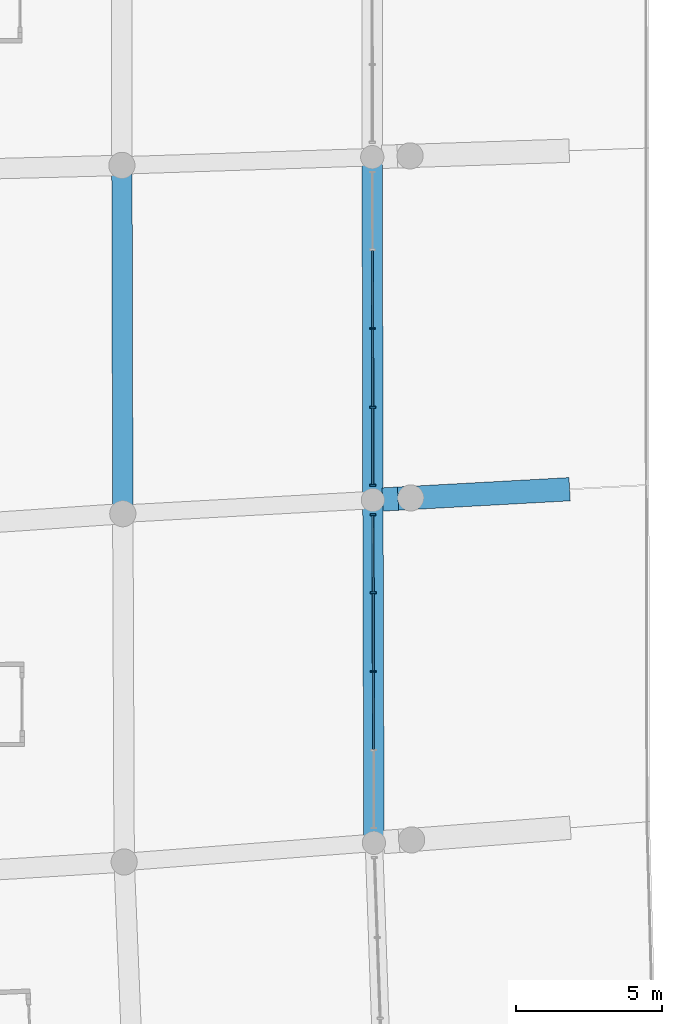
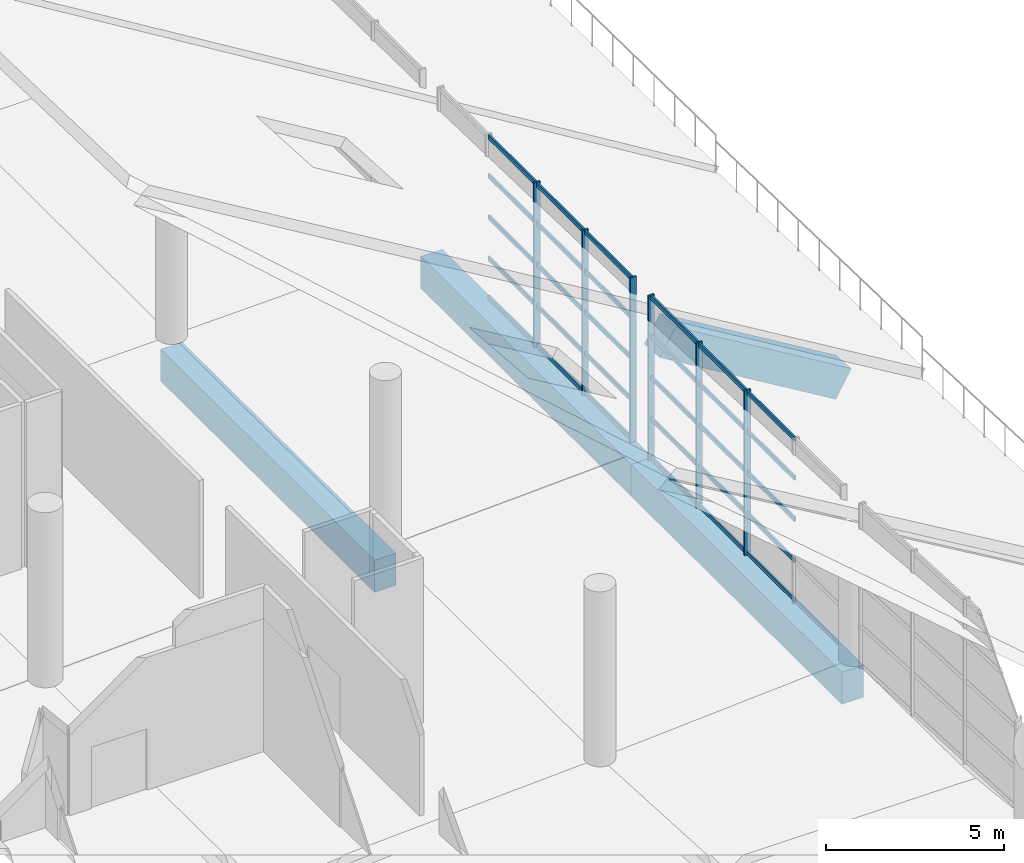
# One storey, part 23 of 249: 36 members, 4 beams, 2 elements without a shape of their own.
"""IFC4 building model written with IfcOpenShell, lengths in metres."""

from ifc_helpers import new_model, si_unit, direction, frame, origin, origin_2d, place, context, subcontext, project, spatial, rectangle, extrude, material, layer, layer_set, material_profile, profile_set, type_object, element, aggregate, save


model = new_model("IFC4")

# Units and contexts
model_context = context("Model", 3, precision=1e-05, world=origin(), true_north=direction((0.0, 1.0)))
body_context = subcontext(model_context, "Body", "Model", "MODEL_VIEW")
ifc_project = project(units=[si_unit("LENGTHUNIT", "METRE"), si_unit("AREAUNIT", "SQUARE_METRE"), si_unit("VOLUMEUNIT", "CUBIC_METRE"), si_unit("PLANEANGLEUNIT", "RADIAN"), si_unit("MASSUNIT", "GRAM", prefix="KILO")], contexts=[model_context])

# Site, building, storey
site_placement = place(None, origin())
site = spatial("IfcSite", under=ifc_project, at=site_placement, CompositionType="ELEMENT")
building_placement = place(site_placement, origin())
building = spatial("IfcBuilding", under=site, at=building_placement, Name="Meseta Stadium", CompositionType="ELEMENT")
storey_placement = place(building_placement, frame((0.0, 0.0, 12.0)))
storey = spatial("IfcBuildingStorey", under=building, at=storey_placement, Name="L02", CompositionType="ELEMENT", Elevation=12.0)

# Curtain wall, members
ifc_material_1 = material(Name="Aluminium", Category="aluminium")
ifc_layer = layer(ifc_material_1, 0.199951171875)
ifc_layer_set = layer_set([ifc_layer], Name="Suite glazing curtain wall")
curtain_wall_type = type_object("IfcCurtainWallType", Name="Suite glazing curtain wall", PredefinedType="NOTDEFINED", material=ifc_layer_set)
curtain_wall_1_placement = place(storey_placement, origin())
curtain_wall_1 = element("IfcCurtainWall", 1, at=curtain_wall_1_placement, inside=storey, type_object=curtain_wall_type, Name="Suite glazing bay 34", PredefinedType="NOTDEFINED")
ifc_material_2 = material(Name="Aluminium", Category="aluminium")
ifc_material_profile_1 = material_profile(ifc_material_2, rectangle(XDim=0.199951171875, YDim=0.06005859375, at=origin_2d()), Name="CW 200x60")
ifc_profile_set_1 = profile_set([ifc_material_profile_1], Name="Aluminium")
member_type_1 = type_object("IfcMemberType", Name="CW mullion 60x200", PredefinedType="MULLION", material=ifc_profile_set_1)
member_1_placement = place(storey_placement, frame((-64.875732421875, -23.546875, 0.0), z_axis=(0.0, 0.0, 1.0), x_axis=(0.999998105206, 0.001946685349, 0.0)))
member_1 = element("IfcMember", 2, at=member_1_placement, type_object=member_type_1, Name="CWS mullion 3", PredefinedType="MULLION", context=body_context, shape_type="SweptSolid", body=[
    extrude(rectangle(XDim=0.199951171875, YDim=0.06005859375, at=origin_2d()), origin(), (0.0, 0.0, 1.0), 5.64990234375),
])
member_2_placement = place(storey_placement, frame((-64.870361328125, -26.250244140625, 0.0), z_axis=(0.0, 0.0, 1.0), x_axis=(0.999998105206, 0.001946685349, 0.0)))
member_2 = element("IfcMember", 3, at=member_2_placement, type_object=member_type_1, Name="CWS mullion 4", PredefinedType="MULLION", context=body_context, shape_type="SweptSolid", body=[
    extrude(rectangle(XDim=0.199951171875, YDim=0.06005859375, at=origin_2d()), origin(), (0.0, 0.0, 1.0), 5.64990234375),
])
member_3_placement = place(storey_placement, frame((-64.865234375, -28.923828125, 0.0), z_axis=(0.0, 0.0, 1.0), x_axis=(0.999998105206, 0.001946685349, 0.0)))
member_3 = element("IfcMember", 4, at=member_3_placement, type_object=member_type_1, Name="CWS mullion 5", PredefinedType="MULLION", context=body_context, shape_type="SweptSolid", body=[
    extrude(rectangle(XDim=0.199951171875, YDim=0.06005859375, at=origin_2d()), origin(), (0.0, 0.0, 1.0), 5.64990234375),
])

curtain_wall_2_placement = place(storey_placement, origin())
curtain_wall_2 = element("IfcCurtainWall", 5, at=curtain_wall_2_placement, inside=storey, type_object=curtain_wall_type, Name="Suite glazing bay 35", PredefinedType="NOTDEFINED")
member_4_placement = place(storey_placement, frame((-64.86279296875, -29.94287109375, 0.0), z_axis=(0.0, 0.0, 1.0), x_axis=(0.999995765919, 0.002910007458, 0.0)))
member_4 = element("IfcMember", 6, at=member_4_placement, type_object=member_type_1, Name="CWS mullion 1", PredefinedType="MULLION", context=body_context, shape_type="SweptSolid", body=[
    extrude(rectangle(XDim=0.199951171875, YDim=0.06005859375, at=origin_2d()), origin(), (0.0, 0.0, 1.0), 5.64990234375),
])
member_5_placement = place(storey_placement, frame((-64.85498046875, -32.61572265625, 0.0), z_axis=(0.0, 0.0, 1.0), x_axis=(0.999995765919, 0.002910007458, 0.0)))
member_5 = element("IfcMember", 7, at=member_5_placement, type_object=member_type_1, Name="CWS mullion 2", PredefinedType="MULLION", context=body_context, shape_type="SweptSolid", body=[
    extrude(rectangle(XDim=0.199951171875, YDim=0.06005859375, at=origin_2d()), origin(), (0.0, 0.0, 1.0), 5.64990234375),
])
member_6_placement = place(storey_placement, frame((-64.846923828125, -35.318359375, 0.0), z_axis=(0.0, 0.0, 1.0), x_axis=(0.999995765919, 0.002910007458, 0.0)))
member_6 = element("IfcMember", 8, at=member_6_placement, type_object=member_type_1, Name="CWS mullion 3", PredefinedType="MULLION", context=body_context, shape_type="SweptSolid", body=[
    extrude(rectangle(XDim=0.199951171875, YDim=0.06005859375, at=origin_2d()), origin(), (0.0, 0.0, 1.0), 5.64990234375),
])

# Member
ifc_material_3 = material(Name="Aluminium", Category="aluminium")
ifc_material_profile_2 = material_profile(ifc_material_3, rectangle(XDim=0.06005859375, YDim=0.14990234375, at=origin_2d()), Name="CW 60x150")
ifc_profile_set_2 = profile_set([ifc_material_profile_2], Name="Aluminium")
member_type_2 = type_object("IfcMemberType", Name="CW transom 60x150", PredefinedType="USERDEFINED", material=ifc_profile_set_2)
member_7_placement = place(storey_placement, frame((-64.880859375, -20.873291015625, 0.074951171875), z_axis=(0.001939412681, -0.999998119337, 0.0), x_axis=(0.999998119337, 0.001939412681, 0.0)))
member_7 = element("IfcMember", 9, at=member_7_placement, type_object=member_type_2, Name="CWS transom 2.1", ObjectType="TRANSOM", PredefinedType="USERDEFINED", context=body_context, shape_type="SweptSolid", body=[
    extrude(rectangle(XDim=0.06005859375, YDim=0.14990234375, at=origin_2d()), origin(), (0.0, 0.0, 1.0), 2.6435546875),
])

member_8_placement = place(storey_placement, frame((-64.880859375, -20.873291015625, 1.41259765625), z_axis=(0.001939412681, -0.999998119337, 0.0), x_axis=(0.999998119337, 0.001939412681, 0.0)))
member_8 = element("IfcMember", 10, at=member_8_placement, type_object=member_type_2, Name="CWS transom 2.2", ObjectType="TRANSOM", PredefinedType="USERDEFINED", context=body_context, shape_type="SweptSolid", body=[
    extrude(rectangle(XDim=0.06005859375, YDim=0.14990234375, at=origin_2d()), origin(), (0.0, 0.0, 1.0), 2.6435546875),
])

member_9_placement = place(storey_placement, frame((-64.880859375, -20.873291015625, 2.824951171875), z_axis=(0.001939412681, -0.999998119337, 0.0), x_axis=(0.999998119337, 0.001939412681, 0.0)))
member_9 = element("IfcMember", 11, at=member_9_placement, type_object=member_type_2, Name="CWS transom 2.3", ObjectType="TRANSOM", PredefinedType="USERDEFINED", context=body_context, shape_type="SweptSolid", body=[
    extrude(rectangle(XDim=0.06005859375, YDim=0.14990234375, at=origin_2d()), origin(), (0.0, 0.0, 1.0), 2.6435546875),
])

member_10_placement = place(storey_placement, frame((-64.880859375, -20.873291015625, 4.237548828125), z_axis=(0.001939412681, -0.999998119337, 0.0), x_axis=(0.999998119337, 0.001939412681, 0.0)))
member_10 = element("IfcMember", 12, at=member_10_placement, type_object=member_type_2, Name="CWS transom 2.4", ObjectType="TRANSOM", PredefinedType="USERDEFINED", context=body_context, shape_type="SweptSolid", body=[
    extrude(rectangle(XDim=0.06005859375, YDim=0.14990234375, at=origin_2d()), origin(), (0.0, 0.0, 1.0), 2.6435546875),
])

member_11_placement = place(storey_placement, frame((-64.880859375, -20.873291015625, 5.574951171875), z_axis=(0.001939412681, -0.999998119337, 0.0), x_axis=(0.999998119337, 0.001939412681, 0.0)))
member_11 = element("IfcMember", 13, at=member_11_placement, type_object=member_type_2, Name="CWS transom 2.5", ObjectType="TRANSOM", PredefinedType="USERDEFINED", context=body_context, shape_type="SweptSolid", body=[
    extrude(rectangle(XDim=0.06005859375, YDim=0.14990234375, at=origin_2d()), origin(), (0.0, 0.0, 1.0), 2.6435546875),
])

member_12_placement = place(storey_placement, frame((-64.87548828125, -23.576904296875, 0.074951171875), z_axis=(0.001939591807, -0.99999811899, 0.0), x_axis=(0.99999811899, 0.001939591807, 0.0)))
member_12 = element("IfcMember", 14, at=member_12_placement, type_object=member_type_2, Name="CWS transom 3.1", ObjectType="TRANSOM", PredefinedType="USERDEFINED", context=body_context, shape_type="SweptSolid", body=[
    extrude(rectangle(XDim=0.06005859375, YDim=0.14990234375, at=origin_2d()), origin(), (0.0, 0.0, 1.0), 2.643310546875),
])

member_13_placement = place(storey_placement, frame((-64.87548828125, -23.576904296875, 1.41259765625), z_axis=(0.001939591807, -0.99999811899, 0.0), x_axis=(0.99999811899, 0.001939591807, 0.0)))
member_13 = element("IfcMember", 15, at=member_13_placement, type_object=member_type_2, Name="CWS transom 3.2", ObjectType="TRANSOM", PredefinedType="USERDEFINED", context=body_context, shape_type="SweptSolid", body=[
    extrude(rectangle(XDim=0.06005859375, YDim=0.14990234375, at=origin_2d()), origin(), (0.0, 0.0, 1.0), 2.643310546875),
])

member_14_placement = place(storey_placement, frame((-64.87548828125, -23.576904296875, 2.824951171875), z_axis=(0.001939591807, -0.99999811899, 0.0), x_axis=(0.99999811899, 0.001939591807, 0.0)))
member_14 = element("IfcMember", 16, at=member_14_placement, type_object=member_type_2, Name="CWS transom 3.3", ObjectType="TRANSOM", PredefinedType="USERDEFINED", context=body_context, shape_type="SweptSolid", body=[
    extrude(rectangle(XDim=0.06005859375, YDim=0.14990234375, at=origin_2d()), origin(), (0.0, 0.0, 1.0), 2.643310546875),
])

member_15_placement = place(storey_placement, frame((-64.87548828125, -23.576904296875, 4.237548828125), z_axis=(0.001939591807, -0.99999811899, 0.0), x_axis=(0.99999811899, 0.001939591807, 0.0)))
member_15 = element("IfcMember", 17, at=member_15_placement, type_object=member_type_2, Name="CWS transom 3.4", ObjectType="TRANSOM", PredefinedType="USERDEFINED", context=body_context, shape_type="SweptSolid", body=[
    extrude(rectangle(XDim=0.06005859375, YDim=0.14990234375, at=origin_2d()), origin(), (0.0, 0.0, 1.0), 2.643310546875),
])

member_16_placement = place(storey_placement, frame((-64.87548828125, -23.576904296875, 5.574951171875), z_axis=(0.001939591807, -0.99999811899, 0.0), x_axis=(0.99999811899, 0.001939591807, 0.0)))
member_16 = element("IfcMember", 18, at=member_16_placement, type_object=member_type_2, Name="CWS transom 3.5", ObjectType="TRANSOM", PredefinedType="USERDEFINED", context=body_context, shape_type="SweptSolid", body=[
    extrude(rectangle(XDim=0.06005859375, YDim=0.14990234375, at=origin_2d()), origin(), (0.0, 0.0, 1.0), 2.643310546875),
])

member_17_placement = place(storey_placement, frame((-64.870361328125, -26.2802734375, 0.074951171875), z_axis=(0.001961696366, -0.999998075872, 0.0), x_axis=(0.999998075872, 0.001961696366, 0.0)))
member_17 = element("IfcMember", 19, at=member_17_placement, type_object=member_type_2, Name="CWS transom 4.1", ObjectType="TRANSOM", PredefinedType="USERDEFINED", context=body_context, shape_type="SweptSolid", body=[
    extrude(rectangle(XDim=0.06005859375, YDim=0.14990234375, at=origin_2d()), origin(), (0.0, 0.0, 1.0), 2.613525390625),
])

member_18_placement = place(storey_placement, frame((-64.870361328125, -26.2802734375, 1.41259765625), z_axis=(0.001961696366, -0.999998075872, 0.0), x_axis=(0.999998075872, 0.001961696366, 0.0)))
member_18 = element("IfcMember", 20, at=member_18_placement, type_object=member_type_2, Name="CWS transom 4.2", ObjectType="TRANSOM", PredefinedType="USERDEFINED", context=body_context, shape_type="SweptSolid", body=[
    extrude(rectangle(XDim=0.06005859375, YDim=0.14990234375, at=origin_2d()), origin(), (0.0, 0.0, 1.0), 2.613525390625),
])

member_19_placement = place(storey_placement, frame((-64.870361328125, -26.2802734375, 2.824951171875), z_axis=(0.001961696366, -0.999998075872, 0.0), x_axis=(0.999998075872, 0.001961696366, 0.0)))
member_19 = element("IfcMember", 21, at=member_19_placement, type_object=member_type_2, Name="CWS transom 4.3", ObjectType="TRANSOM", PredefinedType="USERDEFINED", context=body_context, shape_type="SweptSolid", body=[
    extrude(rectangle(XDim=0.06005859375, YDim=0.14990234375, at=origin_2d()), origin(), (0.0, 0.0, 1.0), 2.613525390625),
])

member_20_placement = place(storey_placement, frame((-64.870361328125, -26.2802734375, 4.237548828125), z_axis=(0.001961696366, -0.999998075872, 0.0), x_axis=(0.999998075872, 0.001961696366, 0.0)))
member_20 = element("IfcMember", 22, at=member_20_placement, type_object=member_type_2, Name="CWS transom 4.4", ObjectType="TRANSOM", PredefinedType="USERDEFINED", context=body_context, shape_type="SweptSolid", body=[
    extrude(rectangle(XDim=0.06005859375, YDim=0.14990234375, at=origin_2d()), origin(), (0.0, 0.0, 1.0), 2.613525390625),
])

member_21_placement = place(storey_placement, frame((-64.870361328125, -26.2802734375, 5.574951171875), z_axis=(0.001961696366, -0.999998075872, 0.0), x_axis=(0.999998075872, 0.001961696366, 0.0)))
member_21 = element("IfcMember", 23, at=member_21_placement, type_object=member_type_2, Name="CWS transom 4.5", ObjectType="TRANSOM", PredefinedType="USERDEFINED", context=body_context, shape_type="SweptSolid", body=[
    extrude(rectangle(XDim=0.06005859375, YDim=0.14990234375, at=origin_2d()), origin(), (0.0, 0.0, 1.0), 2.613525390625),
])

aggregate(curtain_wall_1, [member_1, member_2, member_3, member_7, member_8, member_9, member_10, member_11, member_12, member_13, member_14, member_15, member_16, member_17, member_18, member_19, member_20, member_21])

member_22_placement = place(storey_placement, frame((-64.862548828125, -29.972900390625, 0.074951171875), z_axis=(0.002896642679, -0.999995804722, 0.0), x_axis=(0.999995804722, 0.002896642679, 0.0)))
member_22 = element("IfcMember", 24, at=member_22_placement, type_object=member_type_2, Name="CWS transom 1.1", ObjectType="TRANSOM", PredefinedType="USERDEFINED", context=body_context, shape_type="SweptSolid", body=[
    extrude(rectangle(XDim=0.06005859375, YDim=0.14990234375, at=origin_2d()), origin(), (0.0, 0.0, 1.0), 2.61279296875),
])

member_23_placement = place(storey_placement, frame((-64.862548828125, -29.972900390625, 1.41259765625), z_axis=(0.002896642679, -0.999995804722, 0.0), x_axis=(0.999995804722, 0.002896642679, 0.0)))
member_23 = element("IfcMember", 25, at=member_23_placement, type_object=member_type_2, Name="CWS transom 1.2", ObjectType="TRANSOM", PredefinedType="USERDEFINED", context=body_context, shape_type="SweptSolid", body=[
    extrude(rectangle(XDim=0.06005859375, YDim=0.14990234375, at=origin_2d()), origin(), (0.0, 0.0, 1.0), 2.61279296875),
])

member_24_placement = place(storey_placement, frame((-64.862548828125, -29.972900390625, 2.824951171875), z_axis=(0.002896642679, -0.999995804722, 0.0), x_axis=(0.999995804722, 0.002896642679, 0.0)))
member_24 = element("IfcMember", 26, at=member_24_placement, type_object=member_type_2, Name="CWS transom 1.3", ObjectType="TRANSOM", PredefinedType="USERDEFINED", context=body_context, shape_type="SweptSolid", body=[
    extrude(rectangle(XDim=0.06005859375, YDim=0.14990234375, at=origin_2d()), origin(), (0.0, 0.0, 1.0), 2.61279296875),
])

member_25_placement = place(storey_placement, frame((-64.862548828125, -29.972900390625, 4.237548828125), z_axis=(0.002896642679, -0.999995804722, 0.0), x_axis=(0.999995804722, 0.002896642679, 0.0)))
member_25 = element("IfcMember", 27, at=member_25_placement, type_object=member_type_2, Name="CWS transom 1.4", ObjectType="TRANSOM", PredefinedType="USERDEFINED", context=body_context, shape_type="SweptSolid", body=[
    extrude(rectangle(XDim=0.06005859375, YDim=0.14990234375, at=origin_2d()), origin(), (0.0, 0.0, 1.0), 2.61279296875),
])

member_26_placement = place(storey_placement, frame((-64.862548828125, -29.972900390625, 5.574951171875), z_axis=(0.002896642679, -0.999995804722, 0.0), x_axis=(0.999995804722, 0.002896642679, 0.0)))
member_26 = element("IfcMember", 28, at=member_26_placement, type_object=member_type_2, Name="CWS transom 1.5", ObjectType="TRANSOM", PredefinedType="USERDEFINED", context=body_context, shape_type="SweptSolid", body=[
    extrude(rectangle(XDim=0.06005859375, YDim=0.14990234375, at=origin_2d()), origin(), (0.0, 0.0, 1.0), 2.61279296875),
])

member_27_placement = place(storey_placement, frame((-64.854736328125, -32.645751953125, 0.074951171875), z_axis=(0.002863994167, -0.99999589876, 0.0), x_axis=(0.99999589876, 0.002863994167, 0.0)))
member_27 = element("IfcMember", 29, at=member_27_placement, type_object=member_type_2, Name="CWS transom 2.1", ObjectType="TRANSOM", PredefinedType="USERDEFINED", context=body_context, shape_type="SweptSolid", body=[
    extrude(rectangle(XDim=0.06005859375, YDim=0.14990234375, at=origin_2d()), origin(), (0.0, 0.0, 1.0), 2.642578125),
])

member_28_placement = place(storey_placement, frame((-64.854736328125, -32.645751953125, 1.41259765625), z_axis=(0.002863994167, -0.99999589876, 0.0), x_axis=(0.99999589876, 0.002863994167, 0.0)))
member_28 = element("IfcMember", 30, at=member_28_placement, type_object=member_type_2, Name="CWS transom 2.2", ObjectType="TRANSOM", PredefinedType="USERDEFINED", context=body_context, shape_type="SweptSolid", body=[
    extrude(rectangle(XDim=0.06005859375, YDim=0.14990234375, at=origin_2d()), origin(), (0.0, 0.0, 1.0), 2.642578125),
])

member_29_placement = place(storey_placement, frame((-64.854736328125, -32.645751953125, 2.824951171875), z_axis=(0.002863994167, -0.99999589876, 0.0), x_axis=(0.99999589876, 0.002863994167, 0.0)))
member_29 = element("IfcMember", 31, at=member_29_placement, type_object=member_type_2, Name="CWS transom 2.3", ObjectType="TRANSOM", PredefinedType="USERDEFINED", context=body_context, shape_type="SweptSolid", body=[
    extrude(rectangle(XDim=0.06005859375, YDim=0.14990234375, at=origin_2d()), origin(), (0.0, 0.0, 1.0), 2.642578125),
])

member_30_placement = place(storey_placement, frame((-64.854736328125, -32.645751953125, 4.237548828125), z_axis=(0.002863994167, -0.99999589876, 0.0), x_axis=(0.99999589876, 0.002863994167, 0.0)))
member_30 = element("IfcMember", 32, at=member_30_placement, type_object=member_type_2, Name="CWS transom 2.4", ObjectType="TRANSOM", PredefinedType="USERDEFINED", context=body_context, shape_type="SweptSolid", body=[
    extrude(rectangle(XDim=0.06005859375, YDim=0.14990234375, at=origin_2d()), origin(), (0.0, 0.0, 1.0), 2.642578125),
])

member_31_placement = place(storey_placement, frame((-64.854736328125, -32.645751953125, 5.574951171875), z_axis=(0.002863994167, -0.99999589876, 0.0), x_axis=(0.99999589876, 0.002863994167, 0.0)))
member_31 = element("IfcMember", 33, at=member_31_placement, type_object=member_type_2, Name="CWS transom 2.5", ObjectType="TRANSOM", PredefinedType="USERDEFINED", context=body_context, shape_type="SweptSolid", body=[
    extrude(rectangle(XDim=0.06005859375, YDim=0.14990234375, at=origin_2d()), origin(), (0.0, 0.0, 1.0), 2.642578125),
])

member_32_placement = place(storey_placement, frame((-64.846923828125, -35.348388671875, 0.074951171875), z_axis=(0.002863994167, -0.99999589876, 0.0), x_axis=(0.99999589876, 0.002863994167, 0.0)))
member_32 = element("IfcMember", 34, at=member_32_placement, type_object=member_type_2, Name="CWS transom 3.1", ObjectType="TRANSOM", PredefinedType="USERDEFINED", context=body_context, shape_type="SweptSolid", body=[
    extrude(rectangle(XDim=0.06005859375, YDim=0.14990234375, at=origin_2d()), origin(), (0.0, 0.0, 1.0), 2.642578125),
])

member_33_placement = place(storey_placement, frame((-64.846923828125, -35.348388671875, 1.41259765625), z_axis=(0.002863994167, -0.99999589876, 0.0), x_axis=(0.99999589876, 0.002863994167, 0.0)))
member_33 = element("IfcMember", 35, at=member_33_placement, type_object=member_type_2, Name="CWS transom 3.2", ObjectType="TRANSOM", PredefinedType="USERDEFINED", context=body_context, shape_type="SweptSolid", body=[
    extrude(rectangle(XDim=0.06005859375, YDim=0.14990234375, at=origin_2d()), origin(), (0.0, 0.0, 1.0), 2.642578125),
])

member_34_placement = place(storey_placement, frame((-64.846923828125, -35.348388671875, 2.824951171875), z_axis=(0.002863994167, -0.99999589876, 0.0), x_axis=(0.99999589876, 0.002863994167, 0.0)))
member_34 = element("IfcMember", 36, at=member_34_placement, type_object=member_type_2, Name="CWS transom 3.3", ObjectType="TRANSOM", PredefinedType="USERDEFINED", context=body_context, shape_type="SweptSolid", body=[
    extrude(rectangle(XDim=0.06005859375, YDim=0.14990234375, at=origin_2d()), origin(), (0.0, 0.0, 1.0), 2.642578125),
])

member_35_placement = place(storey_placement, frame((-64.846923828125, -35.348388671875, 4.237548828125), z_axis=(0.002863994167, -0.99999589876, 0.0), x_axis=(0.99999589876, 0.002863994167, 0.0)))
member_35 = element("IfcMember", 37, at=member_35_placement, type_object=member_type_2, Name="CWS transom 3.4", ObjectType="TRANSOM", PredefinedType="USERDEFINED", context=body_context, shape_type="SweptSolid", body=[
    extrude(rectangle(XDim=0.06005859375, YDim=0.14990234375, at=origin_2d()), origin(), (0.0, 0.0, 1.0), 2.642578125),
])

member_36_placement = place(storey_placement, frame((-64.846923828125, -35.348388671875, 5.574951171875), z_axis=(0.002863994167, -0.99999589876, 0.0), x_axis=(0.99999589876, 0.002863994167, 0.0)))
member_36 = element("IfcMember", 38, at=member_36_placement, type_object=member_type_2, Name="CWS transom 3.5", ObjectType="TRANSOM", PredefinedType="USERDEFINED", context=body_context, shape_type="SweptSolid", body=[
    extrude(rectangle(XDim=0.06005859375, YDim=0.14990234375, at=origin_2d()), origin(), (0.0, 0.0, 1.0), 2.642578125),
])

aggregate(curtain_wall_2, [member_4, member_5, member_6, member_22, member_23, member_24, member_25, member_26, member_27, member_28, member_29, member_30, member_31, member_32, member_33, member_34, member_35, member_36])

# Beams
ifc_material_4 = material(Name="Concrete C40/50", Category="concrete")
ifc_material_profile_3 = material_profile(ifc_material_4, rectangle(XDim=0.699951171875, YDim=1.10009765625, at=origin_2d()), Name="RC 700x1100")
ifc_profile_set_3 = profile_set([ifc_material_profile_3], Name="Concrete C40/50")
beam_type_1 = type_object("IfcBeamType", Name="RC beam 700x1100", PredefinedType="BEAM", material=ifc_profile_set_3)
beam_1_placement = place(storey_placement, frame((-64.88720703125, -17.660888671875, -0.89990234375), z_axis=(0.001949394886, -0.999998099928, 0.0), x_axis=(0.999998099928, 0.001949394886, 0.0)))
element("IfcBeam", 39, at=beam_1_placement, inside=storey, type_object=beam_type_1, Name="L02 ring beam frame 34 line D", PredefinedType="BEAM", context=body_context, shape_type="SweptSolid", body=[
    extrude(rectangle(XDim=0.699951171875, YDim=1.10009765625, at=origin_2d()), origin(), (0.0, 0.0, 1.0), 11.7724609375),
])
beam_2_placement = place(storey_placement, frame((-73.482421875, -17.943603515625, -0.89990234375), z_axis=(0.002592357078, -0.999996639837, 0.0), x_axis=(0.999996639837, 0.002592357078, 0.0)))
element("IfcBeam", 40, at=beam_2_placement, inside=storey, type_object=beam_type_1, Name="L02 ring beam frame 34 line E", PredefinedType="BEAM", context=body_context, shape_type="SweptSolid", body=[
    extrude(rectangle(XDim=0.699951171875, YDim=1.10009765625, at=origin_2d()), origin(), (0.0, 0.0, 1.0), 11.96044921875),
])
beam_3_placement = place(storey_placement, frame((-64.8642578125, -29.433349609375, -0.89990234375), z_axis=(0.002924509925, -0.999995723612, 0.0), x_axis=(0.999995723612, 0.002924509925, 0.0)))
element("IfcBeam", 41, at=beam_3_placement, inside=storey, type_object=beam_type_1, Name="L02 ring beam frame 35 line D", PredefinedType="BEAM", context=body_context, shape_type="SweptSolid", body=[
    extrude(rectangle(XDim=0.699951171875, YDim=1.10009765625, at=origin_2d()), origin(), (0.0, 0.0, 1.0), 11.770751953125),
])
ifc_material_5 = material(Name="Concrete C40/50", Category="concrete")
ifc_material_profile_4 = material_profile(ifc_material_5, rectangle(XDim=0.800048828125, YDim=1.0, at=origin_2d()), Name="RC 800x1000")
ifc_profile_set_4 = profile_set([ifc_material_profile_4], Name="Concrete C40/50")
beam_type_2 = type_object("IfcBeamType", Name="RC raker upper front 800x1000", PredefinedType="USERDEFINED", material=ifc_profile_set_4)
beam_4_placement = place(storey_placement, frame((-58.373779296875, -29.077392578125, 0.026611328125), z_axis=(-0.846750700545, -0.046423736141, 0.52996045876), x_axis=(0.054743528807, -0.9985004487, 0.0)))
element("IfcBeam", 42, at=beam_4_placement, inside=storey, type_object=beam_type_2, Name="Raker upper front frame 35 upper tier", ObjectType="RAKER", PredefinedType="USERDEFINED", context=body_context, shape_type="SweptSolid", body=[
    extrude(rectangle(XDim=0.800048828125, YDim=1.0, at=origin_2d()), origin(), (0.0, 0.0, 1.0), 6.95751953125),
])

save(model, "model.ifc")
